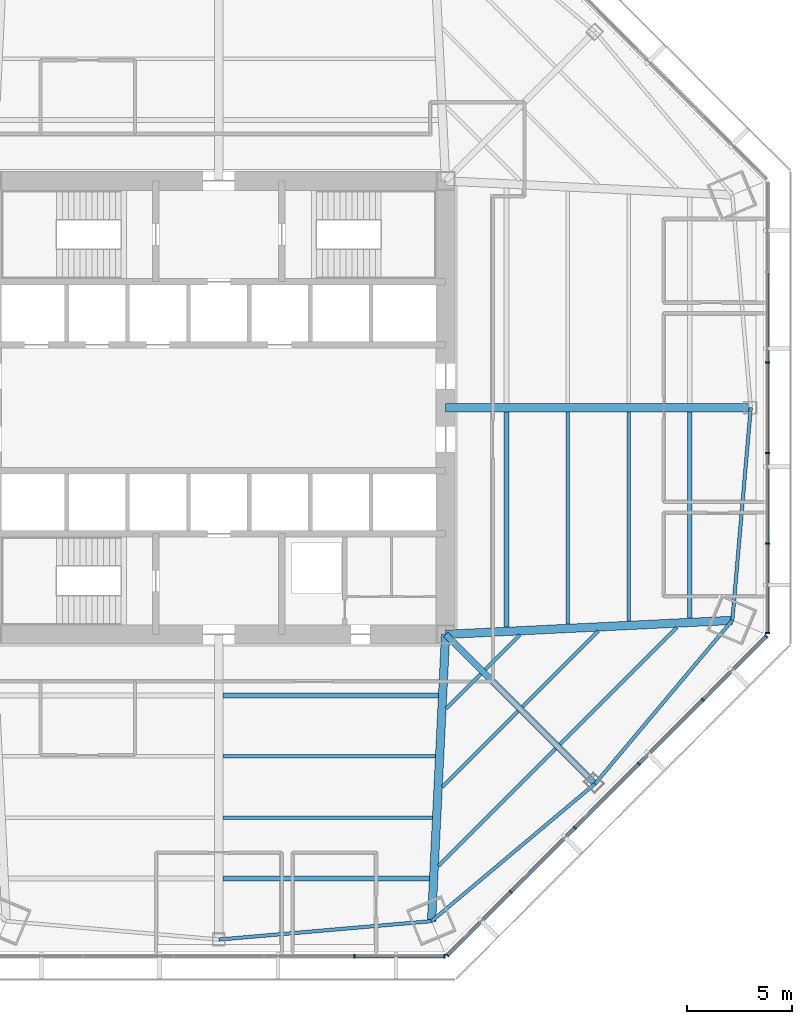
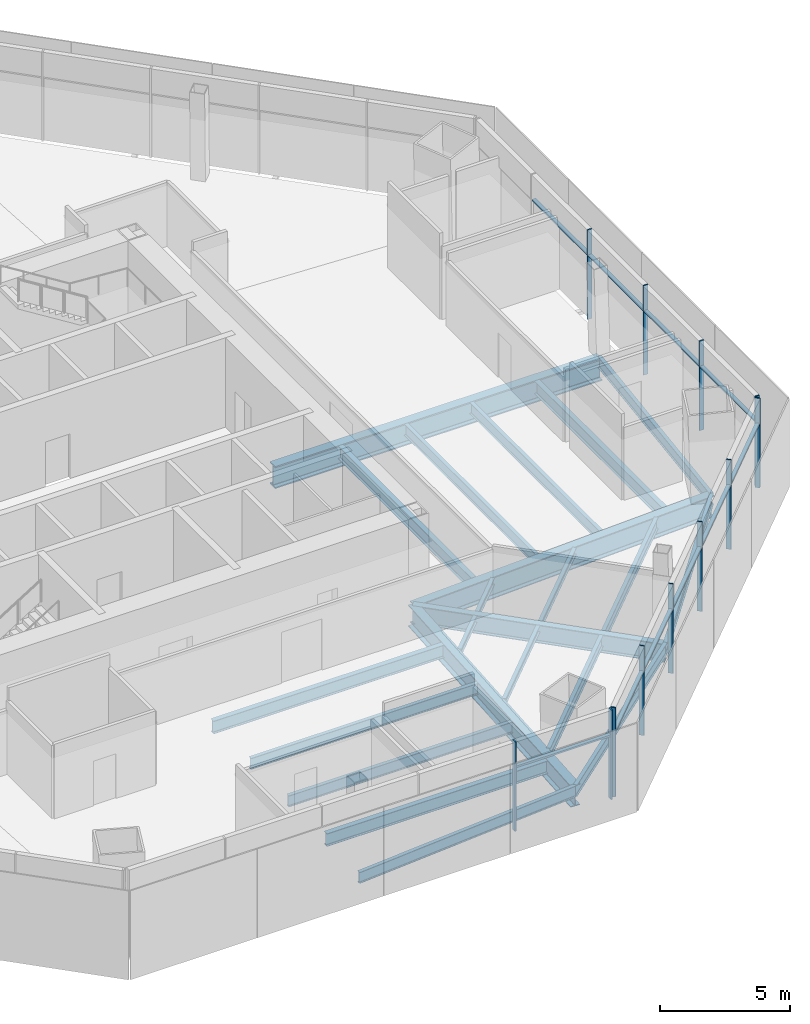
# One storey, part 4 of 15: 22 beams, 22 members, 3 elements without a shape of their own.
"""IFC4 building model written with IfcOpenShell, lengths in metres."""

from ifc_helpers import new_model, si_unit, direction, frame, origin, origin_2d, place, context, subcontext, project, spatial, rectangle, i_section, extrude, source, transform, mapped, material, material_profile, profile_set, type_object, type_shapes, element, aggregate, save


model = new_model("IFC4")

# Units and contexts
model_context = context("Model", 3, precision=1e-05, world=origin(), true_north=direction((0.0, 1.0)))
body_context = subcontext(model_context, "Body", "Model", "MODEL_VIEW")
ifc_project = project(units=[si_unit("LENGTHUNIT", "METRE"), si_unit("AREAUNIT", "SQUARE_METRE"), si_unit("VOLUMEUNIT", "CUBIC_METRE"), si_unit("PLANEANGLEUNIT", "RADIAN"), si_unit("MASSUNIT", "GRAM", prefix="KILO")], contexts=[model_context])

# Site, building, storey
site_placement = place(None, origin())
site = spatial("IfcSite", under=ifc_project, at=site_placement, CompositionType="ELEMENT")
building_placement = place(site_placement, origin())
building = spatial("IfcBuilding", under=site, at=building_placement, Name="Mashrafa Tower", CompositionType="ELEMENT")
storey_placement = place(building_placement, frame((0.0, 0.0, 66.60009765625)))
storey = spatial("IfcBuildingStorey", under=building, at=storey_placement, Name="L14", CompositionType="ELEMENT", Elevation=66.60009765625)

# Beams
ifc_material_1 = material(Name="Steel ASTM A992", Category="steel")
ifc_material_profile_1 = material_profile(ifc_material_1, i_section(OverallWidth=0.164794921875, OverallDepth=0.309814453125, WebThickness=0.005859375, FlangeThickness=0.009765625, FilletRadius=0.007568359375, at=origin_2d()), Name="W12X26")
ifc_profile_set_1 = profile_set([ifc_material_profile_1], Name="Steel ASTM A992")
beam_type_1 = type_object("IfcBeamType", Name="Beam W12X26", PredefinedType="BEAM", material=ifc_profile_set_1)
beam_1_placement = place(storey_placement, frame((12.475341796875, -12.681884765625, -0.320068359375), z_axis=(-0.707054389324, -0.707159169168, 0.0), x_axis=(0.707159169168, -0.707054389324, 0.0)))
element("IfcBeam", 1, at=beam_1_placement, inside=storey, type_object=beam_type_1, Name="Floor beam L14 040", PredefinedType="BEAM", context=body_context, shape_type="SweptSolid", body=[
    extrude(i_section(OverallWidth=0.164794921875, OverallDepth=0.309814453125, WebThickness=0.005859375, FlangeThickness=0.009765625, FilletRadius=0.007568359375, at=origin_2d()), origin(), (0.0, 0.0, 1.0), 2.330078125),
])
beam_2_placement = place(storey_placement, frame((14.254150390625, -14.460693359375, -0.320068359375), z_axis=(-0.707106781187, -0.707106781187, 0.0), x_axis=(0.707106781187, -0.707106781187, 0.0)))
element("IfcBeam", 2, at=beam_2_placement, inside=storey, type_object=beam_type_1, Name="Floor beam L14 044", PredefinedType="BEAM", context=body_context, shape_type="SweptSolid", body=[
    extrude(i_section(OverallWidth=0.164794921875, OverallDepth=0.309814453125, WebThickness=0.005859375, FlangeThickness=0.009765625, FilletRadius=0.007568359375, at=origin_2d()), origin(), (0.0, 0.0, 1.0), 5.104736328125),
])
beam_3_placement = place(storey_placement, frame((14.32958984375, -10.827880859375, -0.320068359375), z_axis=(-0.707159169168, -0.707054389324, 0.0), x_axis=(0.707054389324, -0.707159169168, 0.0)))
element("IfcBeam", 3, at=beam_3_placement, inside=storey, type_object=beam_type_1, Name="Floor beam L14 046", PredefinedType="BEAM", context=body_context, shape_type="SweptSolid", body=[
    extrude(i_section(OverallWidth=0.164794921875, OverallDepth=0.309814453125, WebThickness=0.005859375, FlangeThickness=0.009765625, FilletRadius=0.007568359375, at=origin_2d()), origin(), (0.0, 0.0, 1.0), 2.330078125),
])
beam_4_placement = place(storey_placement, frame((18.0703125, -10.64453125, -0.320068359375), z_axis=(-0.707106781187, -0.707106781187, 0.0), x_axis=(0.707106781187, -0.707106781187, 0.0)))
element("IfcBeam", 4, at=beam_4_placement, inside=storey, type_object=beam_type_1, Name="Floor beam L14 051", PredefinedType="BEAM", context=body_context, shape_type="SweptSolid", body=[
    extrude(i_section(OverallWidth=0.164794921875, OverallDepth=0.309814453125, WebThickness=0.005859375, FlangeThickness=0.009765625, FilletRadius=0.007568359375, at=origin_2d()), origin(), (0.0, 0.0, 1.0), 5.104736328125),
])
ifc_material_2 = material(Name="Steel ASTM A992", Category="steel")
ifc_material_profile_2 = material_profile(ifc_material_2, i_section(OverallWidth=0.165771484375, OverallDepth=0.5283203125, WebThickness=0.009765625, FlangeThickness=0.013671875, FilletRadius=0.012939453125, at=origin_2d()), Name="W21X50")
ifc_profile_set_2 = profile_set([ifc_material_profile_2], Name="Steel ASTM A992")
beam_type_2 = type_object("IfcBeamType", Name="Beam W21X50", PredefinedType="BEAM", material=ifc_profile_set_2)
beam_5_placement = place(storey_placement, frame((10.171630859375, -19.521240234375, -0.42919921875), z_axis=(-1.0, 0.0, 0.0), x_axis=(0.0, -1.0, 0.0)))
element("IfcBeam", 5, at=beam_5_placement, inside=storey, type_object=beam_type_2, Name="Floor beam L14 035", PredefinedType="BEAM", context=body_context, shape_type="SweptSolid", body=[
    extrude(i_section(OverallWidth=0.165771484375, OverallDepth=0.5283203125, WebThickness=0.009765625, FlangeThickness=0.013671875, FilletRadius=0.012939453125, at=origin_2d()), origin(), (0.0, 0.0, 1.0), 9.967041015625),
])
beam_6_placement = place(storey_placement, frame((10.314208984375, -16.6142578125, -0.42919921875), z_axis=(-1.0, 0.0, 0.0), x_axis=(0.0, -1.0, 0.0)))
element("IfcBeam", 6, at=beam_6_placement, inside=storey, type_object=beam_type_2, Name="Floor beam L14 037", PredefinedType="BEAM", context=body_context, shape_type="SweptSolid", body=[
    extrude(i_section(OverallWidth=0.165771484375, OverallDepth=0.5283203125, WebThickness=0.009765625, FlangeThickness=0.013671875, FilletRadius=0.012939453125, at=origin_2d()), origin(), (0.0, 0.0, 1.0), 10.109619140625),
])
beam_7_placement = place(storey_placement, frame((16.03271484375, -16.239501953125, -0.42919921875), z_axis=(-0.707106781187, -0.707106781187, 0.0), x_axis=(0.707106781187, -0.707106781187, 0.0)))
element("IfcBeam", 7, at=beam_7_placement, inside=storey, type_object=beam_type_2, Name="Floor beam L14 047", PredefinedType="BEAM", context=body_context, shape_type="SweptSolid", body=[
    extrude(i_section(OverallWidth=0.165771484375, OverallDepth=0.5283203125, WebThickness=0.009765625, FlangeThickness=0.013671875, FilletRadius=0.012939453125, at=origin_2d()), origin(), (0.0, 0.0, 1.0), 7.87939453125),
])
beam_8_placement = place(storey_placement, frame((16.6142578125, -0.20458984375, -0.42919921875), z_axis=(0.0, -1.0, 0.0), x_axis=(1.0, 0.0, 0.0)))
element("IfcBeam", 8, at=beam_8_placement, inside=storey, type_object=beam_type_2, Name="Floor beam L14 049", PredefinedType="BEAM", context=body_context, shape_type="SweptSolid", body=[
    extrude(i_section(OverallWidth=0.165771484375, OverallDepth=0.5283203125, WebThickness=0.009765625, FlangeThickness=0.013671875, FilletRadius=0.012939453125, at=origin_2d()), origin(), (0.0, 0.0, 1.0), 10.109619140625),
])
beam_9_placement = place(storey_placement, frame((19.521240234375, -0.20458984375, -0.42919921875), z_axis=(0.0, -1.0, 0.0), x_axis=(1.0, 0.0, 0.0)))
element("IfcBeam", 9, at=beam_9_placement, inside=storey, type_object=beam_type_2, Name="Floor beam L14 052", PredefinedType="BEAM", context=body_context, shape_type="SweptSolid", body=[
    extrude(i_section(OverallWidth=0.165771484375, OverallDepth=0.5283203125, WebThickness=0.009765625, FlangeThickness=0.013671875, FilletRadius=0.012939453125, at=origin_2d()), origin(), (0.0, 0.0, 1.0), 9.967041015625),
])
beam_10_placement = place(storey_placement, frame((21.81103515625, -10.461181640625, -0.42919921875), z_axis=(-0.707106781187, -0.707106781187, 0.0), x_axis=(0.707106781187, -0.707106781187, 0.0)))
element("IfcBeam", 10, at=beam_10_placement, inside=storey, type_object=beam_type_2, Name="Floor beam L14 054", PredefinedType="BEAM", context=body_context, shape_type="SweptSolid", body=[
    extrude(i_section(OverallWidth=0.165771484375, OverallDepth=0.5283203125, WebThickness=0.009765625, FlangeThickness=0.013671875, FilletRadius=0.012939453125, at=origin_2d()), origin(), (0.0, 0.0, 1.0), 7.87939453125),
])
beam_11_placement = place(storey_placement, frame((0.0, -25.33544921875, -0.42919921875), z_axis=(0.996263885627, 0.08636127718, 0.0), x_axis=(-0.08636127718, 0.996263885627, 0.0)))
element("IfcBeam", 11, at=beam_11_placement, inside=storey, type_object=beam_type_2, Name="Spandrel beam L14 080", PredefinedType="BEAM", context=body_context, shape_type="SweptSolid", body=[
    extrude(i_section(OverallWidth=0.165771484375, OverallDepth=0.5283203125, WebThickness=0.009765625, FlangeThickness=0.013671875, FilletRadius=0.012939453125, at=origin_2d()), origin(), (0.0, 0.0, 1.0), 10.168701171875),
])
for number, where, z_axis, x_axis, name in (
    (12, (10.130615234375, -24.457275390625, -0.42919921875), (0.765522261839, 0.643409408254, 0.0), (-0.643409408254, 0.765522261839, 0.0), "Spandrel beam L14 082"),
    (13, (17.914794921875, -17.914794921875, -0.42919921875), (0.643409408254, 0.765522261839, 0.0), (-0.765522261839, 0.643409408254, 0.0), "Spandrel beam L14 084"),
):
    element("IfcBeam", number, at=place(storey_placement, frame(where, z_axis=z_axis, x_axis=x_axis)), inside=storey, type_object=beam_type_2, Name=name, PredefinedType="BEAM", context=body_context, shape_type="SweptSolid", body=[
        extrude(i_section(OverallWidth=0.165771484375, OverallDepth=0.5283203125, WebThickness=0.009765625, FlangeThickness=0.013671875, FilletRadius=0.012939453125, at=origin_2d()), origin(), (0.0, 0.0, 1.0), 10.16845703125),
    ])
beam_12_placement = place(storey_placement, frame((24.457275390625, -10.130615234375, -0.42919921875), z_axis=(0.08636127718, 0.996263885627, 0.0), x_axis=(-0.996263885627, 0.08636127718, 0.0)))
element("IfcBeam", 14, at=beam_12_placement, inside=storey, type_object=beam_type_2, Name="Spandrel beam L14 086", PredefinedType="BEAM", context=body_context, shape_type="SweptSolid", body=[
    extrude(i_section(OverallWidth=0.165771484375, OverallDepth=0.5283203125, WebThickness=0.009765625, FlangeThickness=0.013671875, FilletRadius=0.012939453125, at=origin_2d()), origin(), (0.0, 0.0, 1.0), 10.168701171875),
])
ifc_material_3 = material(Name="Steel ASTM A992", Category="steel")
ifc_material_profile_3 = material_profile(ifc_material_3, i_section(OverallWidth=0.227783203125, OverallDepth=0.60205078125, WebThickness=0.010498046875, FlangeThickness=0.014892578125, FilletRadius=0.012939453125, at=origin_2d()), Name="W24X68")
ifc_profile_set_3 = profile_set([ifc_material_profile_3], Name="Steel ASTM A992")
beam_type_3 = type_object("IfcBeamType", Name="Beam W24X68", PredefinedType="BEAM", material=ifc_profile_set_3)
beam_13_placement = place(storey_placement, frame((10.029052734375, -22.42822265625, -0.466064453125), z_axis=(-1.0, 0.0, 0.0), x_axis=(0.0, -1.0, 0.0)))
element("IfcBeam", 15, at=beam_13_placement, inside=storey, type_object=beam_type_3, Name="Floor beam L14 033", PredefinedType="BEAM", context=body_context, shape_type="SweptSolid", body=[
    extrude(i_section(OverallWidth=0.227783203125, OverallDepth=0.60205078125, WebThickness=0.010498046875, FlangeThickness=0.014892578125, FilletRadius=0.012939453125, at=origin_2d()), origin(), (0.0, 0.0, 1.0), 9.824462890625),
])
for number, where, z_axis, x_axis, name in (
    (16, (10.45654296875, -13.70703125, -0.466064453125), (-1.0, 0.0, 0.0), (0.0, -1.0, 0.0), "Floor beam L14 039"),
    (17, (13.70703125, -0.20458984375, -0.466064453125), (0.0, -1.0, 0.0), (1.0, 0.0, 0.0), "Floor beam L14 042"),
):
    element("IfcBeam", number, at=place(storey_placement, frame(where, z_axis=z_axis, x_axis=x_axis)), inside=storey, type_object=beam_type_3, Name=name, PredefinedType="BEAM", context=body_context, shape_type="SweptSolid", body=[
        extrude(i_section(OverallWidth=0.227783203125, OverallDepth=0.60205078125, WebThickness=0.010498046875, FlangeThickness=0.014892578125, FilletRadius=0.012939453125, at=origin_2d()), origin(), (0.0, 0.0, 1.0), 10.251953125),
    ])
beam_14_placement = place(storey_placement, frame((22.42822265625, -0.20458984375, -0.466064453125), z_axis=(0.0, -1.0, 0.0), x_axis=(1.0, 0.0, 0.0)))
element("IfcBeam", 18, at=beam_14_placement, inside=storey, type_object=beam_type_3, Name="Floor beam L14 055", PredefinedType="BEAM", context=body_context, shape_type="SweptSolid", body=[
    extrude(i_section(OverallWidth=0.227783203125, OverallDepth=0.60205078125, WebThickness=0.010498046875, FlangeThickness=0.014892578125, FilletRadius=0.012939453125, at=origin_2d()), origin(), (0.0, 0.0, 1.0), 9.824462890625),
])
ifc_material_4 = material(Name="Steel ASTM A992", Category="steel")
ifc_material_profile_4 = material_profile(ifc_material_4, i_section(OverallWidth=0.2919921875, OverallDepth=0.8583984375, WebThickness=0.01708984375, FlangeThickness=0.031005859375, FilletRadius=0.017822265625, at=origin_2d()), Name="W33X169")
ifc_profile_set_4 = profile_set([ifc_material_profile_4], Name="Steel ASTM A992")
beam_type_4 = type_object("IfcBeamType", Name="Beam W33X169", PredefinedType="BEAM", material=ifc_profile_set_4)
beam_15_placement = place(storey_placement, frame((10.800048828125, -10.800048828125, -0.59423828125), z_axis=(0.707106781187, -0.707106781187, 0.0), x_axis=(0.707106781187, 0.707106781187, 0.0)))
element("IfcBeam", 19, at=beam_15_placement, inside=storey, type_object=beam_type_4, Name="Radial girder L14 067", PredefinedType="BEAM", context=body_context, shape_type="SweptSolid", body=[
    extrude(i_section(OverallWidth=0.2919921875, OverallDepth=0.8583984375, WebThickness=0.01708984375, FlangeThickness=0.031005859375, FilletRadius=0.017822265625, at=origin_2d()), origin(), (0.0, 0.0, 1.0), 10.061767578125),
])
ifc_material_5 = material(Name="Steel ASTM A992", Category="steel")
ifc_material_profile_5 = material_profile(ifc_material_5, i_section(OverallWidth=0.4013671875, OverallDepth=1.010986328125, WebThickness=0.023681640625, FlangeThickness=0.0419921875, FilletRadius=0.02001953125, at=origin_2d()), Name="W40X297")
ifc_profile_set_5 = profile_set([ifc_material_profile_5], Name="Steel ASTM A992")
beam_type_5 = type_object("IfcBeamType", Name="Beam W40X297", PredefinedType="BEAM", material=ifc_profile_set_5)
for number, where, z_axis, x_axis, name in (
    (20, (10.800048828125, -10.800048828125, -0.670654296875), (-0.048958024577, -0.998800836919, 0.0), (0.998800836919, -0.048958024577, 0.0), "Radial girder L14 066"),
    (21, (10.800048828125, -10.800048828125, -0.670654296875), (0.998800836919, 0.048958024577, 0.0), (-0.048958024577, 0.998800836919, 0.0), "Radial girder L14 068"),
):
    element("IfcBeam", number, at=place(storey_placement, frame(where, z_axis=z_axis, x_axis=x_axis)), inside=storey, type_object=beam_type_5, Name=name, PredefinedType="BEAM", context=body_context, shape_type="SweptSolid", body=[
        extrude(i_section(OverallWidth=0.4013671875, OverallDepth=1.010986328125, WebThickness=0.023681640625, FlangeThickness=0.0419921875, FilletRadius=0.02001953125, at=origin_2d()), origin(), (0.0, 0.0, 1.0), 13.673583984375),
    ])
ifc_material_6 = material(Name="Steel ASTM A992", Category="steel")
ifc_material_profile_6 = material_profile(ifc_material_6, i_section(OverallWidth=0.408935546875, OverallDepth=1.04150390625, WebThickness=0.031005859375, FlangeThickness=0.055908203125, FilletRadius=0.020263671875, at=origin_2d()), Name="W40X397")
ifc_profile_set_6 = profile_set([ifc_material_profile_6], Name="Steel ASTM A992")
beam_type_6 = type_object("IfcBeamType", Name="Beam W40X397", PredefinedType="BEAM", material=ifc_profile_set_6)
beam_16_placement = place(storey_placement, frame((10.800048828125, 0.0, -0.685791015625), z_axis=(1.0, 0.0, 0.0), x_axis=(0.0, 1.0, 0.0)))
element("IfcBeam", 22, at=beam_16_placement, inside=storey, type_object=beam_type_6, Name="Radial girder L14 069", PredefinedType="BEAM", context=body_context, shape_type="SweptSolid", body=[
    extrude(i_section(OverallWidth=0.408935546875, OverallDepth=1.04150390625, WebThickness=0.031005859375, FlangeThickness=0.055908203125, FilletRadius=0.020263671875, at=origin_2d()), origin(), (0.0, 0.0, 1.0), 14.535400390625),
])

# Curtain wall, members
ifc_material_7 = material(Name="Unitised aluminium curtain wall", Category="aluminium")
curtain_wall_type = type_object("IfcCurtainWallType", Name="Office curtain wall, zone 1 CW-A 200 deep", PredefinedType="NOTDEFINED", material=ifc_material_7)
curtain_wall_1_placement = place(storey_placement, origin())
curtain_wall_1 = element("IfcCurtainWall", 23, at=curtain_wall_1_placement, inside=storey, type_object=curtain_wall_type, Name="Office curtain wall, zone 1 L14 east", PredefinedType="NOTDEFINED")
ifc_material_8 = material(Name="Extruded aluminium mullion", Category="aluminium")
ifc_material_profile_7 = material_profile(ifc_material_8, rectangle(XDim=0.199951171875, YDim=0.06494140625, at=origin_2d()), Name="Mullion 65x200")
ifc_profile_set_7 = profile_set([ifc_material_profile_7], Name="Extruded aluminium mullion")
member_type_1 = type_object("IfcMemberType", Name="Mullion CW-A 65 x 200", PredefinedType="MULLION", material=ifc_profile_set_7)
shared_shape_1 = source(origin(), body_context, "Body", "SweptSolid", [
    extrude(rectangle(XDim=0.199951171875, YDim=0.06494140625, at=origin_2d()), origin(), (0.0, 0.0, 1.0), 4.199951171875),
])
type_shapes(member_type_1, [shared_shape_1])
member_1_placement = place(storey_placement, frame((26.130615234375, -10.73974609375, 0.0), z_axis=(0.0, 0.0, 1.0), x_axis=(-1.0, 0.0, 0.0)))
member_1 = element("IfcMember", 24, at=member_1_placement, type_object=member_type_1, Name="CW-A mullion 1", PredefinedType="MULLION", context=body_context, shape_type="MappedRepresentation", body=[
    mapped(shared_shape_1, transform((0.0, 0.0, 0.0))),
])
member_2_placement = place(storey_placement, frame((26.130615234375, -6.46337890625, 0.0), z_axis=(0.0, 0.0, 1.0), x_axis=(-1.0, 0.0, 0.0)))
member_2 = element("IfcMember", 25, at=member_2_placement, type_object=member_type_1, Name="CW-A mullion 2", PredefinedType="MULLION", context=body_context, shape_type="MappedRepresentation", body=[
    mapped(shared_shape_1, transform((0.0, 0.0, 0.0))),
])
member_3_placement = place(storey_placement, frame((26.130615234375, -2.154541015625, 0.0), z_axis=(0.0, 0.0, 1.0), x_axis=(-1.0, 0.0, 0.0)))
member_3 = element("IfcMember", 26, at=member_3_placement, type_object=member_type_1, Name="CW-A mullion 3", PredefinedType="MULLION", context=body_context, shape_type="MappedRepresentation", body=[
    mapped(shared_shape_1, transform((0.0, 0.0, 0.0))),
])
member_4_placement = place(storey_placement, frame((26.130615234375, 2.154541015625, 0.0), z_axis=(0.0, 0.0, 1.0), x_axis=(-1.0, 0.0, 0.0)))
member_4 = element("IfcMember", 27, at=member_4_placement, type_object=member_type_1, Name="CW-A mullion 4", PredefinedType="MULLION", context=body_context, shape_type="MappedRepresentation", body=[
    mapped(shared_shape_1, transform((0.0, 0.0, 0.0))),
])

curtain_wall_2_placement = place(storey_placement, origin())
curtain_wall_2 = element("IfcCurtainWall", 28, at=curtain_wall_2_placement, inside=storey, type_object=curtain_wall_type, Name="Office curtain wall, zone 1 L14 south", PredefinedType="NOTDEFINED")
member_5_placement = place(storey_placement, frame((6.46337890625, -26.130615234375, 0.0), z_axis=(0.0, 0.0, 1.0), x_axis=(0.0, 1.0, 0.0)))
member_5 = element("IfcMember", 29, at=member_5_placement, type_object=member_type_1, Name="CW-A mullion 5", PredefinedType="MULLION", context=body_context, shape_type="MappedRepresentation", body=[
    mapped(shared_shape_1, transform((0.0, 0.0, 0.0))),
])
member_6_placement = place(storey_placement, frame((10.73974609375, -26.130615234375, 0.0), z_axis=(0.0, 0.0, 1.0), x_axis=(0.0, 1.0, 0.0)))
member_6 = element("IfcMember", 30, at=member_6_placement, type_object=member_type_1, Name="CW-A mullion 6", PredefinedType="MULLION", context=body_context, shape_type="MappedRepresentation", body=[
    mapped(shared_shape_1, transform((0.0, 0.0, 0.0))),
])

curtain_wall_3_placement = place(storey_placement, origin())
curtain_wall_3 = element("IfcCurtainWall", 31, at=curtain_wall_3_placement, inside=storey, type_object=curtain_wall_type, Name="Office curtain wall, zone 1 L14 south-east", PredefinedType="NOTDEFINED")
member_7_placement = place(storey_placement, frame((10.883056640625, -26.0712890625, 0.0), z_axis=(0.0, 0.0, 1.0), x_axis=(-0.707106781187, 0.707106781187, 0.0)))
member_7 = element("IfcMember", 32, at=member_7_placement, type_object=member_type_1, Name="CW-A mullion 1", PredefinedType="MULLION", context=body_context, shape_type="MappedRepresentation", body=[
    mapped(shared_shape_1, transform((0.0, 0.0, 0.0))),
])
member_8_placement = place(storey_placement, frame((13.906982421875, -23.04736328125, 0.0), z_axis=(0.0, 0.0, 1.0), x_axis=(-0.707106781187, 0.707106781187, 0.0)))
member_8 = element("IfcMember", 33, at=member_8_placement, type_object=member_type_1, Name="CW-A mullion 2", PredefinedType="MULLION", context=body_context, shape_type="MappedRepresentation", body=[
    mapped(shared_shape_1, transform((0.0, 0.0, 0.0))),
])
member_9_placement = place(storey_placement, frame((16.953857421875, -20.000732421875, 0.0), z_axis=(0.0, 0.0, 1.0), x_axis=(-0.707106781187, 0.707106781187, 0.0)))
member_9 = element("IfcMember", 34, at=member_9_placement, type_object=member_type_1, Name="CW-A mullion 3", PredefinedType="MULLION", context=body_context, shape_type="MappedRepresentation", body=[
    mapped(shared_shape_1, transform((0.0, 0.0, 0.0))),
])
member_10_placement = place(storey_placement, frame((20.000732421875, -16.953857421875, 0.0), z_axis=(0.0, 0.0, 1.0), x_axis=(-0.707106781187, 0.707106781187, 0.0)))
member_10 = element("IfcMember", 35, at=member_10_placement, type_object=member_type_1, Name="CW-A mullion 4", PredefinedType="MULLION", context=body_context, shape_type="MappedRepresentation", body=[
    mapped(shared_shape_1, transform((0.0, 0.0, 0.0))),
])
member_11_placement = place(storey_placement, frame((23.04736328125, -13.906982421875, 0.0), z_axis=(0.0, 0.0, 1.0), x_axis=(-0.707106781187, 0.707106781187, 0.0)))
member_11 = element("IfcMember", 36, at=member_11_placement, type_object=member_type_1, Name="CW-A mullion 5", PredefinedType="MULLION", context=body_context, shape_type="MappedRepresentation", body=[
    mapped(shared_shape_1, transform((0.0, 0.0, 0.0))),
])
member_12_placement = place(storey_placement, frame((26.0712890625, -10.883056640625, 0.0), z_axis=(0.0, 0.0, 1.0), x_axis=(-0.707106781187, 0.707106781187, 0.0)))
member_12 = element("IfcMember", 37, at=member_12_placement, type_object=member_type_1, Name="CW-A mullion 6", PredefinedType="MULLION", context=body_context, shape_type="MappedRepresentation", body=[
    mapped(shared_shape_1, transform((0.0, 0.0, 0.0))),
])

# Member
ifc_material_9 = material(Name="Extruded aluminium transom", Category="aluminium")
ifc_material_profile_8 = material_profile(ifc_material_9, rectangle(XDim=0.159912109375, YDim=0.080078125, at=origin_2d()), Name="Transom 80x160")
ifc_profile_set_8 = profile_set([ifc_material_profile_8], Name="Extruded aluminium transom")
member_type_2 = type_object("IfcMemberType", Name="Transom CW-A 80 x 160", PredefinedType="MULLION", material=ifc_profile_set_8)
shared_shape_2 = source(origin(), body_context, "Body", "SweptSolid", [
    extrude(rectangle(XDim=0.159912109375, YDim=0.080078125, at=origin_2d()), origin(), (0.0, 0.0, 1.0), 4.21142578125),
])
member_13_placement = place(storey_placement, frame((26.130615234375, -10.707275390625, 3.0), z_axis=(0.0, 1.0, 0.0), x_axis=(-1.0, 0.0, 0.0)))
member_13 = element("IfcMember", 38, at=member_13_placement, type_object=member_type_2, Name="CW-A transom 1", PredefinedType="MULLION", context=body_context, shape_type="MappedRepresentation", body=[
    mapped(shared_shape_2, transform((0.0, 0.0, 0.0))),
])

member_14_placement = place(storey_placement, frame((6.495849609375, -26.130615234375, 3.0), z_axis=(1.0, 0.0, 0.0), x_axis=(0.0, 1.0, 0.0)))
member_14 = element("IfcMember", 39, at=member_14_placement, type_object=member_type_2, Name="CW-A transom 5", PredefinedType="MULLION", context=body_context, shape_type="MappedRepresentation", body=[
    mapped(shared_shape_2, transform((0.0, 0.0, 0.0))),
])

aggregate(curtain_wall_2, [member_5, member_6, member_14])

member_15_placement = place(storey_placement, frame((10.906005859375, -26.04833984375, 3.0), z_axis=(0.707135766318, 0.707077794867, 0.0), x_axis=(-0.707077794867, 0.707135766318, 0.0)))
member_15 = element("IfcMember", 40, at=member_15_placement, type_object=member_type_2, Name="CW-A transom 1", PredefinedType="MULLION", context=body_context, shape_type="MappedRepresentation", body=[
    mapped(shared_shape_2, transform((0.0, 0.0, 0.0))),
])

member_16_placement = place(storey_placement, frame((23.070556640625, -13.884033203125, 3.0), z_axis=(0.707077794867, 0.707135766318, 0.0), x_axis=(-0.707135766318, 0.707077794867, 0.0)))
member_16 = element("IfcMember", 41, at=member_16_placement, type_object=member_type_2, Name="CW-A transom 5", PredefinedType="MULLION", context=body_context, shape_type="MappedRepresentation", body=[
    mapped(shared_shape_2, transform((0.0, 0.0, 0.0))),
])

shared_shape_3 = source(origin(), body_context, "Body", "SweptSolid", [
    extrude(rectangle(XDim=0.159912109375, YDim=0.080078125, at=origin_2d()), origin(), (0.0, 0.0, 1.0), 4.243896484375),
])
member_17_placement = place(storey_placement, frame((26.130615234375, -6.430908203125, 3.0), z_axis=(0.0, 1.0, 0.0), x_axis=(-1.0, 0.0, 0.0)))
member_17 = element("IfcMember", 42, at=member_17_placement, type_object=member_type_2, Name="CW-A transom 2", PredefinedType="MULLION", context=body_context, shape_type="MappedRepresentation", body=[
    mapped(shared_shape_3, transform((0.0, 0.0, 0.0))),
])

member_18_placement = place(storey_placement, frame((26.130615234375, 2.18701171875, 3.0), z_axis=(0.0, 1.0, 0.0), x_axis=(-1.0, 0.0, 0.0)))
member_18 = element("IfcMember", 43, at=member_18_placement, type_object=member_type_2, Name="CW-A transom 4", PredefinedType="MULLION", context=body_context, shape_type="MappedRepresentation", body=[
    mapped(shared_shape_3, transform((0.0, 0.0, 0.0))),
])

shared_shape_4 = source(origin(), body_context, "Body", "SweptSolid", [
    extrude(rectangle(XDim=0.159912109375, YDim=0.080078125, at=origin_2d()), origin(), (0.0, 0.0, 1.0), 4.244140625),
])
member_19_placement = place(storey_placement, frame((26.130615234375, -2.1220703125, 3.0), z_axis=(0.0, 1.0, 0.0), x_axis=(-1.0, 0.0, 0.0)))
member_19 = element("IfcMember", 44, at=member_19_placement, type_object=member_type_2, Name="CW-A transom 3", PredefinedType="MULLION", context=body_context, shape_type="MappedRepresentation", body=[
    mapped(shared_shape_4, transform((0.0, 0.0, 0.0))),
])

aggregate(curtain_wall_1, [member_1, member_2, member_3, member_4, member_13, member_17, member_19, member_18])

shared_shape_5 = source(origin(), body_context, "Body", "SweptSolid", [
    extrude(rectangle(XDim=0.159912109375, YDim=0.080078125, at=origin_2d()), origin(), (0.0, 0.0, 1.0), 4.24365234375),
])
type_shapes(member_type_2, [shared_shape_2, shared_shape_3, shared_shape_4, shared_shape_5])
member_20_placement = place(storey_placement, frame((13.929931640625, -23.0244140625, 3.0), z_axis=(0.707106781187, 0.707106781187, 0.0), x_axis=(-0.707106781187, 0.707106781187, 0.0)))
member_20 = element("IfcMember", 45, at=member_20_placement, type_object=member_type_2, Name="CW-A transom 2", PredefinedType="MULLION", context=body_context, shape_type="MappedRepresentation", body=[
    mapped(shared_shape_5, transform((0.0, 0.0, 0.0))),
])

member_21_placement = place(storey_placement, frame((16.976806640625, -19.9775390625, 3.0), z_axis=(0.707106781187, 0.707106781187, 0.0), x_axis=(-0.707106781187, 0.707106781187, 0.0)))
member_21 = element("IfcMember", 46, at=member_21_placement, type_object=member_type_2, Name="CW-A transom 3", PredefinedType="MULLION", context=body_context, shape_type="MappedRepresentation", body=[
    mapped(shared_shape_5, transform((0.0, 0.0, 0.0))),
])

member_22_placement = place(storey_placement, frame((20.023681640625, -16.9306640625, 3.0), z_axis=(0.707106781187, 0.707106781187, 0.0), x_axis=(-0.707106781187, 0.707106781187, 0.0)))
member_22 = element("IfcMember", 47, at=member_22_placement, type_object=member_type_2, Name="CW-A transom 4", PredefinedType="MULLION", context=body_context, shape_type="MappedRepresentation", body=[
    mapped(shared_shape_5, transform((0.0, 0.0, 0.0))),
])

aggregate(curtain_wall_3, [member_7, member_8, member_9, member_10, member_11, member_12, member_15, member_20, member_21, member_22, member_16])

save(model, "model.ifc")
